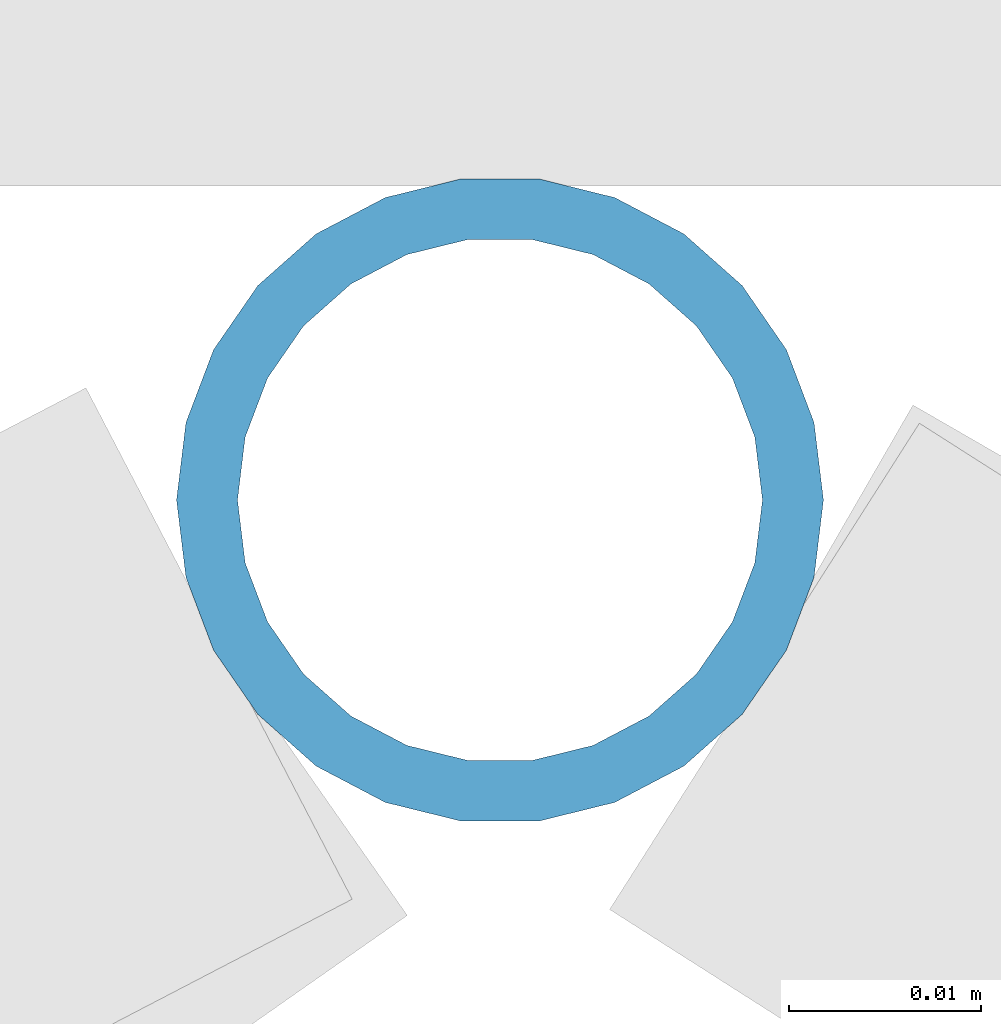
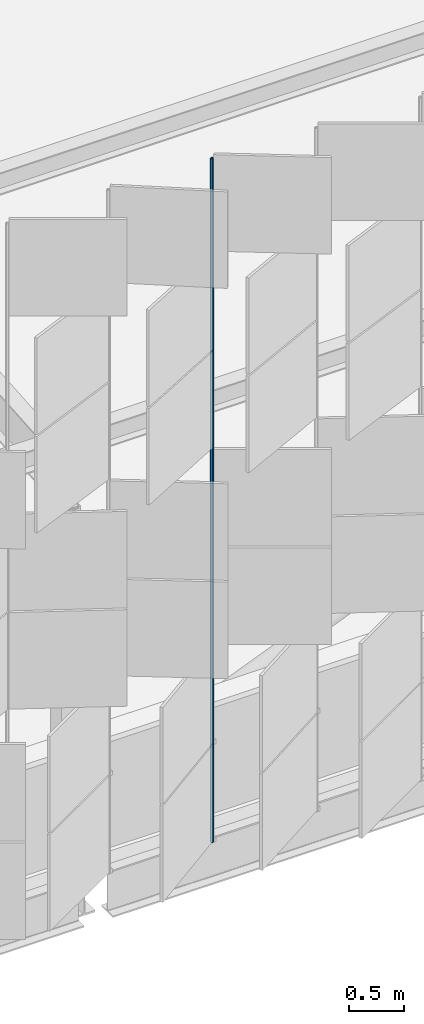
# One storey, part 224 of 483: 1 discrete accessory.
"""IFC4 building model written with IfcOpenShell, lengths in metres."""

from ifc_helpers import new_model, si_unit, direction, frame, origin, origin_2d, place, context, subcontext, project, spatial, hollow_circle, extrude, material, material_profile, profile_set, type_object, element, save


model = new_model("IFC4")

# Units and contexts
model_context = context("Model", 3, precision=1e-05, world=origin(), true_north=direction((0.0, 1.0)))
body_context = subcontext(model_context, "Body", "Model", "MODEL_VIEW")
ifc_project = project(units=[si_unit("LENGTHUNIT", "METRE"), si_unit("AREAUNIT", "SQUARE_METRE"), si_unit("VOLUMEUNIT", "CUBIC_METRE"), si_unit("PLANEANGLEUNIT", "RADIAN"), si_unit("MASSUNIT", "GRAM", prefix="KILO")], contexts=[model_context])

# Site, building, storey
site_placement = place(None, origin())
site = spatial("IfcSite", under=ifc_project, at=site_placement, CompositionType="ELEMENT")
building_placement = place(site_placement, origin())
building = spatial("IfcBuilding", under=site, at=building_placement, Name="Parallax Yard Mobility Hub", CompositionType="ELEMENT")
storey_placement = place(building_placement, frame((0.0, 0.0, 13.199951171875)))
storey = spatial("IfcBuildingStorey", under=building, at=storey_placement, Name="L04", CompositionType="ELEMENT", Elevation=13.199951171875)

# Discrete accessory
ifc_material = material(Name="Steel ASTM A500 Gr C, hot-dip galvanised", Category="steel")
ifc_material_profile = material_profile(ifc_material, hollow_circle(Radius=0.016845703125, WallThickness=0.003173828125, at=origin_2d()), Name="CHS 33.7x3.2")
ifc_profile_set = profile_set([ifc_material_profile], Name="Steel ASTM A500 Gr C, hot-dip galvanised")
discrete_accessory_type = type_object("IfcDiscreteAccessoryType", Name="Hinge post CHS 33.7x3.2", PredefinedType="BRACKET", material=ifc_profile_set)
discrete_accessory_placement = place(storey_placement, frame((158.565673828125, 112.158935546875, 0.0), z_axis=(0.0, 0.0, 1.0), x_axis=(1.0, 0.0, 0.0)))
element("IfcDiscreteAccessory", 1, at=discrete_accessory_placement, inside=storey, type_object=discrete_accessory_type, Name="Hinge post bay 16.2 level L04", PredefinedType="BRACKET", context=body_context, shape_type="SweptSolid", body=[
    extrude(hollow_circle(Radius=0.016845703125, WallThickness=0.003173828125, at=origin_2d()), origin(), (0.0, 0.0, 1.0), 7.650146484375),
])

save(model, "model.ifc")
